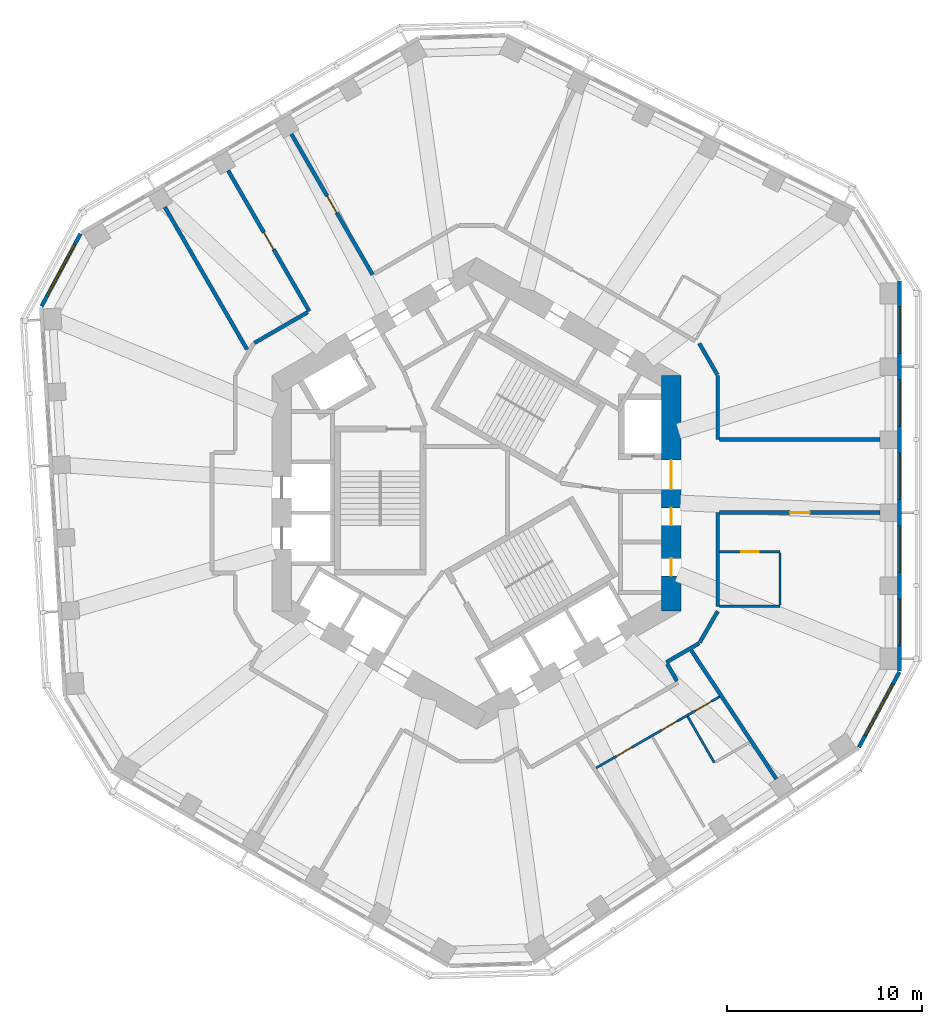
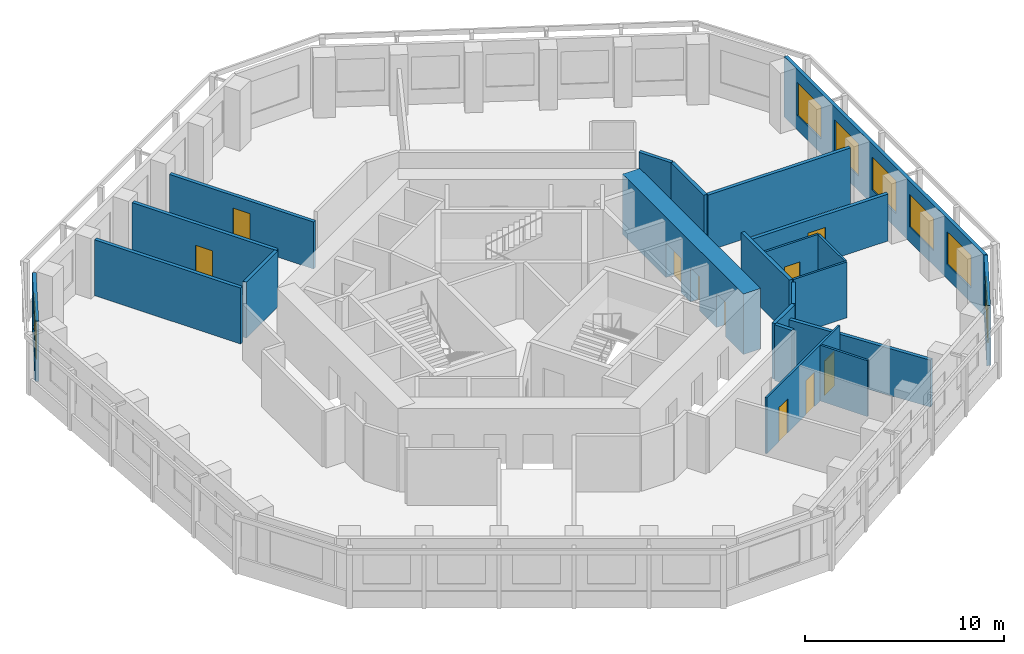
# One storey, part 6 of 10: 22 walls, 10 doors, 7 windows, 17 openings.
"""IFC4 building model written with IfcOpenShell, lengths in metres."""

from ifc_helpers import new_model, si_unit, direction, frame, frame_2d, origin, place, context, subcontext, project, spatial, rectangle, extrude, material, layer, layer_set, type_object, element, fill, save


model = new_model("IFC4")

# Units and contexts
model_context = context("Model", 3, precision=1e-05, world=origin(), true_north=direction((0.0, 1.0)))
body_context = subcontext(model_context, "Body", "Model", "MODEL_VIEW")
ifc_project = project(units=[si_unit("LENGTHUNIT", "METRE"), si_unit("AREAUNIT", "SQUARE_METRE"), si_unit("VOLUMEUNIT", "CUBIC_METRE"), si_unit("PLANEANGLEUNIT", "RADIAN"), si_unit("MASSUNIT", "GRAM", prefix="KILO")], contexts=[model_context])

# Site, building, storey
site_placement = place(None, origin())
site = spatial("IfcSite", under=ifc_project, at=site_placement, CompositionType="ELEMENT")
building_placement = place(site_placement, origin())
building = spatial("IfcBuilding", under=site, at=building_placement, Name="Vanh Sen Convention Tower", CompositionType="ELEMENT")
storey_placement = place(building_placement, frame((0.0, 0.0, 191.0)))
storey = spatial("IfcBuildingStorey", under=building, at=storey_placement, Name="L47", CompositionType="ELEMENT", Elevation=191.0)

# Wall, openings, doors
ifc_material_1 = material(Name="Moisture-resistant gypsum board on steel studs", Category="steel")
ifc_layer_1 = layer(ifc_material_1, 0.1201171875)
ifc_layer_set_1 = layer_set([ifc_layer_1], Name="Moisture-resistant gypsum board on steel studs")
wall_type_1 = type_object("IfcWallType", Name="Bathroom partition 120", PredefinedType="PARTITIONING", material=ifc_layer_set_1)
wall_1_placement = place(storey_placement, frame((6.151611328125, -14.116455078125, 0.0), z_axis=(0.0, 0.0, 1.0), x_axis=(0.866026788224, 0.499997602072, 0.0)))
wall_1 = element("IfcWall", 1, at=wall_1_placement, inside=storey, type_object=wall_type_1, Name="Bathroom partition 120", PredefinedType="PARTITIONING", context=body_context, shape_type="SweptSolid", body=[
    extrude(rectangle(XDim=7.322265625, YDim=0.1201171875, at=frame_2d((3.6611328125, 0.0))), origin(), (0.0, 0.0, 1.0), 3.419921875),
])
opening_1_placement = place(wall_1_placement, frame((5.85791015625, 0.0, 0.0)))
opening_1 = element("IfcOpeningElement", 2, at=opening_1_placement, cuts=wall_1, Name="Opening D47108", PredefinedType="OPENING", context=body_context, shape_type="SweptSolid", body=[
    extrude(rectangle(XDim=1.0, YDim=2.10009765625, at=frame_2d((0.5, 1.050048828125))), frame((0.0, 0.070068359375, 0.0), z_axis=(0.0, -1.0, 0.0), x_axis=(1.0, 0.0, 0.0)), (0.0, 0.0, 1.0), 0.14013671875),
])
opening_2_placement = place(wall_1_placement, frame((1.199951171875, 0.0, 0.0)))
opening_2 = element("IfcOpeningElement", 3, at=opening_2_placement, cuts=wall_1, Name="Opening D47109", PredefinedType="OPENING", context=body_context, shape_type="SweptSolid", body=[
    extrude(rectangle(XDim=0.89990234375, YDim=2.10009765625, at=frame_2d((0.449951171875, 1.050048828125))), frame((0.0, 0.070068359375, 0.0), z_axis=(0.0, -1.0, 0.0), x_axis=(1.0, 0.0, 0.0)), (0.0, 0.0, 1.0), 0.14013671875),
])
opening_3_placement = place(wall_1_placement, frame((3.896728515625, 0.0, 0.0)))
opening_3 = element("IfcOpeningElement", 4, at=opening_3_placement, cuts=wall_1, Name="Opening D47110", PredefinedType="OPENING", context=body_context, shape_type="SweptSolid", body=[
    extrude(rectangle(XDim=0.89990234375, YDim=2.10009765625, at=frame_2d((0.449951171875, 1.050048828125))), frame((0.0, 0.070068359375, 0.0), z_axis=(0.0, -1.0, 0.0), x_axis=(1.0, 0.0, 0.0)), (0.0, 0.0, 1.0), 0.14013671875),
])
ifc_material_2 = material(Name="Laminate door in steel frame", Category="steel")
door_type_1 = type_object("IfcDoorType", Name="Accessible WC door 1000", OperationType="SINGLE_SWING_LEFT", PredefinedType="DOOR", material=ifc_material_2)
door_1_placement = place(opening_1_placement, origin())
door_1 = element("IfcDoor", 5, at=door_1_placement, inside=storey, type_object=door_type_1, Name="Accessible WC door D47108", OperationType="SINGLE_SWING_LEFT", OverallHeight=2.10009765625, OverallWidth=1.0, PredefinedType="DOOR", context=body_context, shape_type="SweptSolid", body=[
    extrude(rectangle(XDim=1.0, YDim=2.10009765625, at=frame_2d((0.5, 1.050048828125))), frame((0.0, 0.02490234375, 0.0), z_axis=(0.0, -1.0, 0.0), x_axis=(1.0, 0.0, 0.0)), (0.0, 0.0, 1.0), 0.050048828125),
])
fill(opening_1, door_1)
door_type_2 = type_object("IfcDoorType", Name="Room internal door 900", OperationType="SINGLE_SWING_LEFT", PredefinedType="DOOR", material=ifc_material_2)
door_2_placement = place(opening_2_placement, origin())
door_2 = element("IfcDoor", 6, at=door_2_placement, inside=storey, type_object=door_type_2, Name="Internal room door D47109", OperationType="SINGLE_SWING_LEFT", OverallHeight=2.10009765625, OverallWidth=0.89990234375, PredefinedType="DOOR", context=body_context, shape_type="SweptSolid", body=[
    extrude(rectangle(XDim=0.89990234375, YDim=2.10009765625, at=frame_2d((0.449951171875, 1.050048828125))), frame((0.0, 0.02490234375, 0.0), z_axis=(0.0, -1.0, 0.0), x_axis=(1.0, 0.0, 0.0)), (0.0, 0.0, 1.0), 0.050048828125),
])
fill(opening_2, door_2)
door_3_placement = place(opening_3_placement, origin())
door_3 = element("IfcDoor", 7, at=door_3_placement, inside=storey, type_object=door_type_2, Name="Internal room door D47110", OperationType="SINGLE_SWING_LEFT", OverallHeight=2.10009765625, OverallWidth=0.89990234375, PredefinedType="DOOR", context=body_context, shape_type="SweptSolid", body=[
    extrude(rectangle(XDim=0.89990234375, YDim=2.10009765625, at=frame_2d((0.449951171875, 1.050048828125))), frame((0.0, 0.02490234375, 0.0), z_axis=(0.0, -1.0, 0.0), x_axis=(1.0, 0.0, 0.0)), (0.0, 0.0, 1.0), 0.050048828125),
])
fill(opening_3, door_3)

# Wall
wall_2_placement = place(storey_placement, frame((10.8525390625, -11.4716796875, 0.0), z_axis=(0.0, 0.0, 1.0), x_axis=(0.500048966069, -0.865997131366, 0.0)))
element("IfcWall", 8, at=wall_2_placement, inside=storey, type_object=wall_type_1, Name="Bathroom partition 120", PredefinedType="PARTITIONING", context=body_context, shape_type="SweptSolid", body=[
    extrude(rectangle(XDim=2.739990234375, YDim=0.1201171875, at=frame_2d((1.3701171875, 0.0))), origin(), (0.0, 0.0, 1.0), 3.419921875),
])

# Wall, opening, door
wall_3_placement = place(storey_placement, frame((12.5, -3.01220703125, 0.0), z_axis=(0.0, 0.0, 1.0), x_axis=(1.0, 0.0, 0.0)))
wall_3 = element("IfcWall", 9, at=wall_3_placement, inside=storey, type_object=wall_type_1, Name="Bathroom partition 120", PredefinedType="PARTITIONING", context=body_context, shape_type="SweptSolid", body=[
    extrude(rectangle(XDim=3.10009765625, YDim=0.1201171875, at=frame_2d((1.550048828125, 0.0))), origin(), (0.0, 0.0, 1.0), 3.419921875),
])
opening_4_placement = place(wall_3_placement, frame((1.10009765625, 0.0, 0.0)))
opening_4 = element("IfcOpeningElement", 10, at=opening_4_placement, cuts=wall_3, Name="Opening D47112", PredefinedType="OPENING", context=body_context, shape_type="SweptSolid", body=[
    extrude(rectangle(XDim=0.89990234375, YDim=2.10009765625, at=frame_2d((0.449951171875, 1.050048828125))), frame((0.0, 0.070068359375, 0.0), z_axis=(0.0, -1.0, 0.0), x_axis=(1.0, 0.0, 0.0)), (0.0, 0.0, 1.0), 0.14013671875),
])
door_4_placement = place(opening_4_placement, origin())
door_4 = element("IfcDoor", 11, at=door_4_placement, inside=storey, type_object=door_type_2, Name="Internal room door D47112", OperationType="SINGLE_SWING_LEFT", OverallHeight=2.10009765625, OverallWidth=0.89990234375, PredefinedType="DOOR", context=body_context, shape_type="SweptSolid", body=[
    extrude(rectangle(XDim=0.89990234375, YDim=2.10009765625, at=frame_2d((0.449951171875, 1.050048828125))), frame((0.0, 0.02490234375, 0.0), z_axis=(0.0, -1.0, 0.0), x_axis=(1.0, 0.0, 0.0)), (0.0, 0.0, 1.0), 0.050048828125),
])
fill(opening_4, door_4)

# Walls
wall_4_placement = place(storey_placement, frame((15.60009765625, -5.812255859375, 0.0), z_axis=(0.0, 0.0, 1.0), x_axis=(-1.0, 0.0, 0.0)))
element("IfcWall", 12, at=wall_4_placement, inside=storey, type_object=wall_type_1, Name="Bathroom partition 120", PredefinedType="PARTITIONING", context=body_context, shape_type="SweptSolid", body=[
    extrude(rectangle(XDim=3.10009765625, YDim=0.1201171875, at=frame_2d((1.550048828125, 0.0))), origin(), (0.0, 0.0, 1.0), 3.419921875),
])
wall_5_placement = place(storey_placement, frame((15.60009765625, -3.072265625, 0.0), z_axis=(0.0, 0.0, 1.0), x_axis=(0.0, -1.0, 0.0)))
element("IfcWall", 13, at=wall_5_placement, inside=storey, type_object=wall_type_1, Name="Bathroom partition 120", PredefinedType="PARTITIONING", context=body_context, shape_type="SweptSolid", body=[
    extrude(rectangle(XDim=2.679931640625, YDim=0.1201171875, at=frame_2d((1.33984375, 0.0))), origin(), (0.0, 0.0, 1.0), 3.419921875),
])

# Wall, openings, doors
ifc_material_3 = material(Name="Concrete C80/95", Category="concrete")
ifc_layer_2 = layer(ifc_material_3, 1.0)
ifc_layer_set_2 = layer_set([ifc_layer_2], Name="Concrete C80/95")
wall_type_2 = type_object("IfcWallType", Name="Core outer wall 1000 C80/95", PredefinedType="SHEAR", material=ifc_layer_set_2)
wall_6_placement = place(storey_placement, frame((10.0, -6.062255859375, 0.0), z_axis=(0.0, 0.0, 1.0), x_axis=(0.0, 1.0, 0.0)))
wall_6 = element("IfcWall", 14, at=wall_6_placement, inside=storey, type_object=wall_type_2, Name="Core wall face E L47", PredefinedType="SHEAR", context=body_context, shape_type="SweptSolid", body=[
    extrude(rectangle(XDim=12.12451171875, YDim=1.0, at=frame_2d((6.062255859375, 0.0))), origin(), (0.0, 0.0, 1.0), 3.699951171875),
])
opening_5_placement = place(wall_6_placement, frame((6.26220703125, 0.0, 0.0)))
opening_5 = element("IfcOpeningElement", 15, at=opening_5_placement, cuts=wall_6, Name="Opening D47001", PredefinedType="OPENING", context=body_context, shape_type="SweptSolid", body=[
    extrude(rectangle(XDim=1.5, YDim=2.10009765625, at=frame_2d((0.75, 1.050048828125))), frame((0.0, 0.510009765625, 0.0), z_axis=(0.0, -1.0, 0.0), x_axis=(1.0, 0.0, 0.0)), (0.0, 0.0, 1.0), 1.02001953125),
])
opening_6_placement = place(wall_6_placement, frame((1.812255859375, 0.0, 0.0)))
opening_6 = element("IfcOpeningElement", 16, at=opening_6_placement, cuts=wall_6, Name="Opening D47010", PredefinedType="OPENING", context=body_context, shape_type="SweptSolid", body=[
    extrude(rectangle(XDim=0.89990234375, YDim=2.10009765625, at=frame_2d((0.449951171875, 1.050048828125))), frame((0.0, 0.510009765625, 0.0), z_axis=(0.0, -1.0, 0.0), x_axis=(1.0, 0.0, 0.0)), (0.0, 0.0, 1.0), 1.02001953125),
])
opening_7_placement = place(wall_6_placement, frame((4.412109375, 0.0, 0.0)))
opening_7 = element("IfcOpeningElement", 17, at=opening_7_placement, cuts=wall_6, Name="Opening D47011", PredefinedType="OPENING", context=body_context, shape_type="SweptSolid", body=[
    extrude(rectangle(XDim=0.89990234375, YDim=2.10009765625, at=frame_2d((0.449951171875, 1.050048828125))), frame((0.0, 0.510009765625, 0.0), z_axis=(0.0, -1.0, 0.0), x_axis=(1.0, 0.0, 0.0)), (0.0, 0.0, 1.0), 1.02001953125),
])
ifc_material_4 = material(Name="Steel S355", Category="steel")
door_type_3 = type_object("IfcDoorType", Name="Plant door 900", OperationType="SINGLE_SWING_LEFT", PredefinedType="DOOR", material=ifc_material_4)
door_5_placement = place(opening_6_placement, origin())
door_5 = element("IfcDoor", 18, at=door_5_placement, inside=storey, type_object=door_type_3, Name="Plant door D47010", OperationType="SINGLE_SWING_LEFT", OverallHeight=2.10009765625, OverallWidth=0.89990234375, PredefinedType="DOOR", context=body_context, shape_type="SweptSolid", body=[
    extrude(rectangle(XDim=0.89990234375, YDim=2.10009765625, at=frame_2d((0.449951171875, 1.050048828125))), frame((0.0, 0.02490234375, 0.0), z_axis=(0.0, -1.0, 0.0), x_axis=(1.0, 0.0, 0.0)), (0.0, 0.0, 1.0), 0.050048828125),
])
fill(opening_6, door_5)
door_6_placement = place(opening_7_placement, origin())
door_6 = element("IfcDoor", 19, at=door_6_placement, inside=storey, type_object=door_type_3, Name="Plant door D47011", OperationType="SINGLE_SWING_LEFT", OverallHeight=2.10009765625, OverallWidth=0.89990234375, PredefinedType="DOOR", context=body_context, shape_type="SweptSolid", body=[
    extrude(rectangle(XDim=0.89990234375, YDim=2.10009765625, at=frame_2d((0.449951171875, 1.050048828125))), frame((0.0, 0.02490234375, 0.0), z_axis=(0.0, -1.0, 0.0), x_axis=(1.0, 0.0, 0.0)), (0.0, 0.0, 1.0), 0.050048828125),
])
fill(opening_7, door_6)
door_type_4 = type_object("IfcDoorType", Name="Stair lobby door 1500", OperationType="DOUBLE_DOOR_SINGLE_SWING", PredefinedType="DOOR", material=ifc_material_4)
door_7_placement = place(opening_5_placement, origin())
door_7 = element("IfcDoor", 20, at=door_7_placement, inside=storey, type_object=door_type_4, Name="Stair lobby door D47001", OperationType="DOUBLE_DOOR_SINGLE_SWING", OverallHeight=2.10009765625, OverallWidth=1.5, PredefinedType="DOOR", context=body_context, shape_type="SweptSolid", body=[
    extrude(rectangle(XDim=1.5, YDim=2.10009765625, at=frame_2d((0.75, 1.050048828125))), frame((0.0, 0.02490234375, 0.0), z_axis=(0.0, -1.0, 0.0), x_axis=(1.0, 0.0, 0.0)), (0.0, 0.0, 1.0), 0.050048828125),
])
fill(opening_5, door_7)

# Wall, opening, door
ifc_material_5 = material(Name="Gypsum board on steel studs with mineral wool", Category="steel")
ifc_layer_3 = layer(ifc_material_5, 0.199951171875)
ifc_layer_set_3 = layer_set([ifc_layer_3], Name="Gypsum board on steel studs with mineral wool")
wall_type_3 = type_object("IfcWallType", Name="Corridor partition wall 200", PredefinedType="PARTITIONING", material=ifc_layer_set_3)
wall_7_placement = place(storey_placement, frame((-12.766357421875, 16.58935546875, 0.0), z_axis=(0.0, 0.0, 1.0), x_axis=(0.500010139422, -0.866019549707, 0.0)))
wall_7 = element("IfcWall", 21, at=wall_7_placement, inside=storey, type_object=wall_type_3, Name="Corridor partition wall 200", PredefinedType="PARTITIONING", context=body_context, shape_type="SweptSolid", body=[
    extrude(rectangle(XDim=8.349853515625, YDim=0.199951171875, at=frame_2d((4.1748046875, 0.0))), origin(), (0.0, 0.0, 1.0), 3.419921875),
])
opening_8_placement = place(wall_7_placement, frame((3.675048828125, 0.0, 0.0)))
opening_8 = element("IfcOpeningElement", 22, at=opening_8_placement, cuts=wall_7, Name="Opening D47104", PredefinedType="OPENING", context=body_context, shape_type="SweptSolid", body=[
    extrude(rectangle(XDim=1.0, YDim=2.10009765625, at=frame_2d((0.5, 1.050048828125))), frame((0.0, 0.10986328125, 0.0), z_axis=(0.0, -1.0, 0.0), x_axis=(1.0, 0.0, 0.0)), (0.0, 0.0, 1.0), 0.219970703125),
])
ifc_material_6 = material(Name="Glazed fire door in steel frame", Category="steel")
door_type_5 = type_object("IfcDoorType", Name="Tenant entrance door 1000", OperationType="SINGLE_SWING_LEFT", PredefinedType="DOOR", material=ifc_material_6)
door_8_placement = place(opening_8_placement, origin())
door_8 = element("IfcDoor", 23, at=door_8_placement, inside=storey, type_object=door_type_5, Name="Tenant suite entrance door D47104", OperationType="SINGLE_SWING_LEFT", OverallHeight=2.10009765625, OverallWidth=1.0, PredefinedType="DOOR", context=body_context, shape_type="SweptSolid", body=[
    extrude(rectangle(XDim=1.0, YDim=2.10009765625, at=frame_2d((0.5, 1.050048828125))), frame((0.0, 0.02490234375, 0.0), z_axis=(0.0, -1.0, 0.0), x_axis=(1.0, 0.0, 0.0)), (0.0, 0.0, 1.0), 0.050048828125),
])
fill(opening_8, door_8)

wall_8_placement = place(storey_placement, frame((-9.51513671875, 18.46630859375, 0.0), z_axis=(0.0, 0.0, 1.0), x_axis=(0.500010139422, -0.866019549707, 0.0)))
wall_8 = element("IfcWall", 24, at=wall_8_placement, inside=storey, type_object=wall_type_3, Name="Corridor partition wall 200", PredefinedType="PARTITIONING", context=body_context, shape_type="SweptSolid", body=[
    extrude(rectangle(XDim=8.349853515625, YDim=0.199951171875, at=frame_2d((4.1748046875, 0.0))), origin(), (0.0, 0.0, 1.0), 2.8701171875),
])
opening_9_placement = place(wall_8_placement, frame((3.675048828125, 0.0, 0.0)))
opening_9 = element("IfcOpeningElement", 25, at=opening_9_placement, cuts=wall_8, Name="Opening D47103", PredefinedType="OPENING", context=body_context, shape_type="SweptSolid", body=[
    extrude(rectangle(XDim=1.0, YDim=2.10009765625, at=frame_2d((0.5, 1.050048828125))), frame((0.0, 0.10986328125, 0.0), z_axis=(0.0, -1.0, 0.0), x_axis=(1.0, 0.0, 0.0)), (0.0, 0.0, 1.0), 0.219970703125),
])
ifc_material_7 = material(Name="Timber fire door in steel frame", Category="steel")
door_type_6 = type_object("IfcDoorType", Name="Floor room door 1000", OperationType="SINGLE_SWING_LEFT", PredefinedType="DOOR", material=ifc_material_7)
door_9_placement = place(opening_9_placement, origin())
door_9 = element("IfcDoor", 26, at=door_9_placement, inside=storey, type_object=door_type_6, Name="Meeting and amenity room door D47103", OperationType="SINGLE_SWING_LEFT", OverallHeight=2.10009765625, OverallWidth=1.0, PredefinedType="DOOR", context=body_context, shape_type="SweptSolid", body=[
    extrude(rectangle(XDim=1.0, YDim=2.10009765625, at=frame_2d((0.5, 1.050048828125))), frame((0.0, 0.02490234375, 0.0), z_axis=(0.0, -1.0, 0.0), x_axis=(1.0, 0.0, 0.0)), (0.0, 0.0, 1.0), 0.050048828125),
])
fill(opening_9, door_9)

# Walls
wall_9_placement = place(storey_placement, frame((-8.677978515625, 9.30810546875, 0.0), z_axis=(0.0, 0.0, 1.0), x_axis=(-0.866000359435, -0.500043375578, 0.0)))
element("IfcWall", 27, at=wall_9_placement, inside=storey, type_object=wall_type_3, Name="Corridor partition wall 200", PredefinedType="PARTITIONING", context=body_context, shape_type="SweptSolid", body=[
    extrude(rectangle(XDim=3.160888671875, YDim=0.199951171875, at=frame_2d((1.58056640625, 0.0))), origin(), (0.0, 0.0, 1.0), 3.419921875),
])
wall_10_placement = place(storey_placement, frame((9.751708984375, -8.688232421875, 0.0), z_axis=(0.0, 0.0, 1.0), x_axis=(0.865974105138, 0.500088841337, 0.0)))
element("IfcWall", 28, at=wall_10_placement, inside=storey, type_object=wall_type_3, Name="Corridor partition wall 200", PredefinedType="PARTITIONING", context=body_context, shape_type="SweptSolid", body=[
    extrude(rectangle(XDim=1.961181640625, YDim=0.199951171875, at=frame_2d((0.98046875, 0.0))), origin(), (0.0, 0.0, 1.0), 3.419921875),
])
wall_11_placement = place(storey_placement, frame((10.302001953125, -9.6416015625, 0.0), z_axis=(0.0, 0.0, 1.0), x_axis=(-0.500074377092, 0.865982457891, 0.0)))
element("IfcWall", 29, at=wall_11_placement, inside=storey, type_object=wall_type_3, Name="Corridor partition wall 200", PredefinedType="PARTITIONING", context=body_context, shape_type="SweptSolid", body=[
    extrude(rectangle(XDim=1.000732421875, YDim=0.199951171875, at=frame_2d((0.50048828125, 0.0))), origin(), (0.0, 0.0, 1.0), 3.419921875),
])
for number, where, z_axis, x_axis, name in (
    (30, (11.469970703125, -7.673095703125, 0.0), (0.0, 0.0, 1.0), (0.499964847546, 0.866045698112, 0.0), "Corridor partition wall 200"),
    (31, (12.3798828125, 6.0966796875, 0.0), (0.0, 0.0, 1.0), (-0.499964847546, 0.866045698112, 0.0), "Corridor partition wall 200"),
):
    element("IfcWall", number, at=place(storey_placement, frame(where, z_axis=z_axis, x_axis=x_axis)), inside=storey, type_object=wall_type_3, Name=name, PredefinedType="PARTITIONING", context=body_context, shape_type="SweptSolid", body=[
        extrude(rectangle(XDim=1.860107421875, YDim=0.199951171875, at=frame_2d((0.93017578125, 0.0))), origin(), (0.0, 0.0, 1.0), 3.419921875),
    ])
wall_12_placement = place(storey_placement, frame((12.39990234375, -5.812255859375, 0.0), z_axis=(0.0, 0.0, 1.0), x_axis=(0.0, 1.0, 0.0)))
element("IfcWall", 32, at=wall_12_placement, inside=storey, type_object=wall_type_3, Name="Corridor partition wall 200", PredefinedType="PARTITIONING", context=body_context, shape_type="SweptSolid", body=[
    extrude(rectangle(XDim=4.8193359375, YDim=0.199951171875, at=frame_2d((2.40966796875, 0.0))), origin(), (0.0, 0.0, 1.0), 3.419921875),
])
wall_13_placement = place(storey_placement, frame((12.39990234375, 2.76123046875, 0.0), z_axis=(0.0, 0.0, 1.0), x_axis=(0.0, 1.0, 0.0)))
element("IfcWall", 33, at=wall_13_placement, inside=storey, type_object=wall_type_3, Name="Corridor partition wall 200", PredefinedType="PARTITIONING", context=body_context, shape_type="SweptSolid", body=[
    extrude(rectangle(XDim=3.301025390625, YDim=0.199951171875, at=frame_2d((1.650390625, 0.0))), origin(), (0.0, 0.0, 1.0), 3.419921875),
])

# Wall, opening, door
wall_14_placement = place(storey_placement, frame((12.5, -0.992919921875, 0.0), z_axis=(0.0, 0.0, 1.0), x_axis=(1.0, 0.0, 0.0)))
wall_14 = element("IfcWall", 34, at=wall_14_placement, inside=storey, type_object=wall_type_3, Name="Corridor partition wall 200", PredefinedType="PARTITIONING", context=body_context, shape_type="SweptSolid", body=[
    extrude(rectangle(XDim=8.25, YDim=0.199951171875, at=frame_2d((4.125, 0.0))), origin(), (0.0, 0.0, 1.0), 2.8701171875),
])
opening_10_placement = place(wall_14_placement, frame((3.625, 0.0, 0.0)))
opening_10 = element("IfcOpeningElement", 35, at=opening_10_placement, cuts=wall_14, Name="Opening D47111", PredefinedType="OPENING", context=body_context, shape_type="SweptSolid", body=[
    extrude(rectangle(XDim=1.0, YDim=2.10009765625, at=frame_2d((0.5, 1.050048828125))), frame((0.0, 0.10986328125, 0.0), z_axis=(0.0, -1.0, 0.0), x_axis=(1.0, 0.0, 0.0)), (0.0, 0.0, 1.0), 0.219970703125),
])
door_10_placement = place(opening_10_placement, origin())
door_10 = element("IfcDoor", 36, at=door_10_placement, inside=storey, type_object=door_type_5, Name="Tenant suite entrance door D47111", OperationType="SINGLE_SWING_LEFT", OverallHeight=2.10009765625, OverallWidth=1.0, PredefinedType="DOOR", context=body_context, shape_type="SweptSolid", body=[
    extrude(rectangle(XDim=1.0, YDim=2.10009765625, at=frame_2d((0.5, 1.050048828125))), frame((0.0, 0.02490234375, 0.0), z_axis=(0.0, -1.0, 0.0), x_axis=(1.0, 0.0, 0.0)), (0.0, 0.0, 1.0), 0.050048828125),
])
fill(opening_10, door_10)

# Wall
wall_15_placement = place(storey_placement, frame((20.75, 2.76123046875, 0.0), z_axis=(0.0, 0.0, 1.0), x_axis=(-1.0, 0.0, 0.0)))
element("IfcWall", 37, at=wall_15_placement, inside=storey, type_object=wall_type_3, Name="Corridor partition wall 200", PredefinedType="PARTITIONING", context=body_context, shape_type="SweptSolid", body=[
    extrude(rectangle(XDim=8.25, YDim=0.199951171875, at=frame_2d((4.125, 0.0))), origin(), (0.0, 0.0, 1.0), 3.419921875),
])

# Wall, openings, windows
ifc_material_8 = material(Name="Insulated lightweight infill wall")
ifc_layer_4 = layer(ifc_material_8, 0.199951171875)
ifc_layer_set_4 = layer_set([ifc_layer_4], Name="Insulated lightweight infill wall")
wall_type_4 = type_object("IfcWallType", Name="External wall 200", PredefinedType="STANDARD", material=ifc_layer_set_4)
wall_16_placement = place(storey_placement, frame((21.75, -9.138427734375, 0.0), z_axis=(0.0, 0.0, 1.0), x_axis=(0.0, 1.0, 0.0)))
wall_16 = element("IfcWall", 38, at=wall_16_placement, inside=storey, type_object=wall_type_4, Name="External wall E L47", PredefinedType="STANDARD", context=body_context, shape_type="SweptSolid", body=[
    extrude(rectangle(XDim=20.043701171875, YDim=0.199951171875, at=frame_2d((10.02197265625, 0.0))), origin(), (0.0, 0.0, 1.0), 3.699951171875),
])
opening_11_placement = place(wall_16_placement, frame((1.314453125, 0.0, 0.89990234375)))
opening_11 = element("IfcOpeningElement", 39, at=opening_11_placement, cuts=wall_16, Name="Opening WO1-E1", PredefinedType="OPENING", context=body_context, shape_type="SweptSolid", body=[
    extrude(rectangle(XDim=2.39990234375, YDim=2.0, at=frame_2d((1.199951171875, 1.0))), frame((0.0, 0.10986328125, 0.0), z_axis=(0.0, -1.0, 0.0), x_axis=(1.0, 0.0, 0.0)), (0.0, 0.0, 1.0), 0.219970703125),
])
opening_12_placement = place(wall_16_placement, frame((5.068603515625, 0.0, 0.89990234375)))
opening_12 = element("IfcOpeningElement", 40, at=opening_12_placement, cuts=wall_16, Name="Opening WO1-E2", PredefinedType="OPENING", context=body_context, shape_type="SweptSolid", body=[
    extrude(rectangle(XDim=2.39990234375, YDim=2.0, at=frame_2d((1.199951171875, 1.0))), frame((0.0, 0.10986328125, 0.0), z_axis=(0.0, -1.0, 0.0), x_axis=(1.0, 0.0, 0.0)), (0.0, 0.0, 1.0), 0.219970703125),
])
opening_13_placement = place(wall_16_placement, frame((8.82275390625, 0.0, 0.89990234375)))
opening_13 = element("IfcOpeningElement", 41, at=opening_13_placement, cuts=wall_16, Name="Opening WO1-E3", PredefinedType="OPENING", context=body_context, shape_type="SweptSolid", body=[
    extrude(rectangle(XDim=2.39990234375, YDim=2.0, at=frame_2d((1.199951171875, 1.0))), frame((0.0, 0.10986328125, 0.0), z_axis=(0.0, -1.0, 0.0), x_axis=(1.0, 0.0, 0.0)), (0.0, 0.0, 1.0), 0.219970703125),
])
opening_14_placement = place(wall_16_placement, frame((12.576904296875, 0.0, 0.89990234375)))
opening_14 = element("IfcOpeningElement", 42, at=opening_14_placement, cuts=wall_16, Name="Opening WO1-E4", PredefinedType="OPENING", context=body_context, shape_type="SweptSolid", body=[
    extrude(rectangle(XDim=2.39990234375, YDim=2.0, at=frame_2d((1.199951171875, 1.0))), frame((0.0, 0.10986328125, 0.0), z_axis=(0.0, -1.0, 0.0), x_axis=(1.0, 0.0, 0.0)), (0.0, 0.0, 1.0), 0.219970703125),
])
opening_15_placement = place(wall_16_placement, frame((16.330810546875, 0.0, 0.89990234375)))
opening_15 = element("IfcOpeningElement", 43, at=opening_15_placement, cuts=wall_16, Name="Opening WO1-E5", PredefinedType="OPENING", context=body_context, shape_type="SweptSolid", body=[
    extrude(rectangle(XDim=2.39990234375, YDim=2.0, at=frame_2d((1.199951171875, 1.0))), frame((0.0, 0.10986328125, 0.0), z_axis=(0.0, -1.0, 0.0), x_axis=(1.0, 0.0, 0.0)), (0.0, 0.0, 1.0), 0.219970703125),
])
ifc_material_9 = material(Name="Aluminium frame with clear low-emissivity glass", Category="aluminium")
window_type_1 = type_object("IfcWindowType", Name="Office window 2400 x 2000", PartitioningType="SINGLE_PANEL", PredefinedType="WINDOW", material=ifc_material_9)
window_1_placement = place(opening_11_placement, origin())
window_1 = element("IfcWindow", 44, at=window_1_placement, inside=storey, type_object=window_type_1, Name="Window WO1-E1", OverallHeight=2.0, OverallWidth=2.39990234375, PartitioningType="SINGLE_PANEL", PredefinedType="WINDOW", context=body_context, shape_type="SweptSolid", body=[
    extrude(rectangle(XDim=2.39990234375, YDim=2.0, at=frame_2d((1.199951171875, 1.0))), frame((0.0, 0.030029296875, 0.0), z_axis=(0.0, -1.0, 0.0), x_axis=(1.0, 0.0, 0.0)), (0.0, 0.0, 1.0), 0.06005859375),
])
fill(opening_11, window_1)
window_2_placement = place(opening_12_placement, origin())
window_2 = element("IfcWindow", 45, at=window_2_placement, inside=storey, type_object=window_type_1, Name="Window WO1-E2", OverallHeight=2.0, OverallWidth=2.39990234375, PartitioningType="SINGLE_PANEL", PredefinedType="WINDOW", context=body_context, shape_type="SweptSolid", body=[
    extrude(rectangle(XDim=2.39990234375, YDim=2.0, at=frame_2d((1.199951171875, 1.0))), frame((0.0, 0.030029296875, 0.0), z_axis=(0.0, -1.0, 0.0), x_axis=(1.0, 0.0, 0.0)), (0.0, 0.0, 1.0), 0.06005859375),
])
fill(opening_12, window_2)
window_3_placement = place(opening_13_placement, origin())
window_3 = element("IfcWindow", 46, at=window_3_placement, inside=storey, type_object=window_type_1, Name="Window WO1-E3", OverallHeight=2.0, OverallWidth=2.39990234375, PartitioningType="SINGLE_PANEL", PredefinedType="WINDOW", context=body_context, shape_type="SweptSolid", body=[
    extrude(rectangle(XDim=2.39990234375, YDim=2.0, at=frame_2d((1.199951171875, 1.0))), frame((0.0, 0.030029296875, 0.0), z_axis=(0.0, -1.0, 0.0), x_axis=(1.0, 0.0, 0.0)), (0.0, 0.0, 1.0), 0.06005859375),
])
fill(opening_13, window_3)
window_4_placement = place(opening_14_placement, origin())
window_4 = element("IfcWindow", 47, at=window_4_placement, inside=storey, type_object=window_type_1, Name="Window WO1-E4", OverallHeight=2.0, OverallWidth=2.39990234375, PartitioningType="SINGLE_PANEL", PredefinedType="WINDOW", context=body_context, shape_type="SweptSolid", body=[
    extrude(rectangle(XDim=2.39990234375, YDim=2.0, at=frame_2d((1.199951171875, 1.0))), frame((0.0, 0.030029296875, 0.0), z_axis=(0.0, -1.0, 0.0), x_axis=(1.0, 0.0, 0.0)), (0.0, 0.0, 1.0), 0.06005859375),
])
fill(opening_14, window_4)
window_5_placement = place(opening_15_placement, origin())
window_5 = element("IfcWindow", 48, at=window_5_placement, inside=storey, type_object=window_type_1, Name="Window WO1-E5", OverallHeight=2.0, OverallWidth=2.39990234375, PartitioningType="SINGLE_PANEL", PredefinedType="WINDOW", context=body_context, shape_type="SweptSolid", body=[
    extrude(rectangle(XDim=2.39990234375, YDim=2.0, at=frame_2d((1.199951171875, 1.0))), frame((0.0, 0.030029296875, 0.0), z_axis=(0.0, -1.0, 0.0), x_axis=(1.0, 0.0, 0.0)), (0.0, 0.0, 1.0), 0.06005859375),
])
fill(opening_15, window_5)

# Wall, opening, window
wall_17_placement = place(storey_placement, frame((-20.357421875, 13.343994140625, 0.0), z_axis=(0.0, 0.0, 1.0), x_axis=(-0.473288913494, -0.880907262068, 0.0)))
wall_17 = element("IfcWall", 49, at=wall_17_placement, inside=storey, type_object=wall_type_4, Name="External wall CH3 L47", PredefinedType="STANDARD", context=body_context, shape_type="SweptSolid", body=[
    extrude(rectangle(XDim=4.238037109375, YDim=0.199951171875, at=frame_2d((2.119140625, 0.0))), origin(), (0.0, 0.0, 1.0), 3.699951171875),
])
opening_16_placement = place(wall_17_placement, frame((0.619140625, 0.0, 0.89990234375)))
opening_16 = element("IfcOpeningElement", 50, at=opening_16_placement, cuts=wall_17, Name="Opening WO2-CH31", PredefinedType="OPENING", context=body_context, shape_type="SweptSolid", body=[
    extrude(rectangle(XDim=3.0, YDim=2.0, at=frame_2d((1.5, 1.0))), frame((0.0, 0.10986328125, 0.0), z_axis=(0.0, -1.0, 0.0), x_axis=(1.0, 0.0, 0.0)), (0.0, 0.0, 1.0), 0.219970703125),
])
window_type_2 = type_object("IfcWindowType", Name="Office window 3000 x 2000", PartitioningType="SINGLE_PANEL", PredefinedType="WINDOW", material=ifc_material_9)
window_6_placement = place(opening_16_placement, origin())
window_6 = element("IfcWindow", 51, at=window_6_placement, inside=storey, type_object=window_type_2, Name="Window WO2-CH31", OverallHeight=2.0, OverallWidth=3.0, PartitioningType="SINGLE_PANEL", PredefinedType="WINDOW", context=body_context, shape_type="SweptSolid", body=[
    extrude(rectangle(XDim=3.0, YDim=2.0, at=frame_2d((1.5, 1.0))), frame((0.0, 0.030029296875, 0.0), z_axis=(0.0, -1.0, 0.0), x_axis=(1.0, 0.0, 0.0)), (0.0, 0.0, 1.0), 0.06005859375),
])
fill(opening_16, window_6)

wall_18_placement = place(storey_placement, frame((19.657958984375, -13.05712890625, 0.0), z_axis=(0.0, 0.0, 1.0), x_axis=(0.473307879841, 0.880897071672, 0.0)))
wall_18 = element("IfcWall", 52, at=wall_18_placement, inside=storey, type_object=wall_type_4, Name="External wall CH6 L47", PredefinedType="STANDARD", context=body_context, shape_type="SweptSolid", body=[
    extrude(rectangle(XDim=4.394775390625, YDim=0.199951171875, at=frame_2d((2.197265625, 0.0))), origin(), (0.0, 0.0, 1.0), 3.699951171875),
])
opening_17_placement = place(wall_18_placement, frame((0.697509765625, 0.0, 0.89990234375)))
opening_17 = element("IfcOpeningElement", 53, at=opening_17_placement, cuts=wall_18, Name="Opening WO2-CH61", PredefinedType="OPENING", context=body_context, shape_type="SweptSolid", body=[
    extrude(rectangle(XDim=3.0, YDim=2.0, at=frame_2d((1.5, 1.0))), frame((0.0, 0.10986328125, 0.0), z_axis=(0.0, -1.0, 0.0), x_axis=(1.0, 0.0, 0.0)), (0.0, 0.0, 1.0), 0.219970703125),
])
window_7_placement = place(opening_17_placement, origin())
window_7 = element("IfcWindow", 54, at=window_7_placement, inside=storey, type_object=window_type_2, Name="Window WO2-CH61", OverallHeight=2.0, OverallWidth=3.0, PartitioningType="SINGLE_PANEL", PredefinedType="WINDOW", context=body_context, shape_type="SweptSolid", body=[
    extrude(rectangle(XDim=3.0, YDim=2.0, at=frame_2d((1.5, 1.0))), frame((0.0, 0.030029296875, 0.0), z_axis=(0.0, -1.0, 0.0), x_axis=(1.0, 0.0, 0.0)), (0.0, 0.0, 1.0), 0.06005859375),
])
fill(opening_17, window_7)

# Walls
ifc_layer_5 = layer(ifc_material_5, 0.199951171875)
ifc_layer_set_5 = layer_set([ifc_layer_5], Name="Gypsum board on steel studs with mineral wool")
wall_type_5 = type_object("IfcWallType", Name="Tenant suite wall 200", PredefinedType="PARTITIONING", material=ifc_layer_set_5)
wall_19_placement = place(storey_placement, frame((-16.017578125, 14.71240234375, 0.0), z_axis=(0.0, 0.0, 1.0), x_axis=(0.500000843414, -0.866024916838, 0.0)))
element("IfcWall", 55, at=wall_19_placement, inside=storey, type_object=wall_type_5, Name="Tenant suite wall 200", PredefinedType="PARTITIONING", context=body_context, shape_type="SweptSolid", body=[
    extrude(rectangle(XDim=8.45166015625, YDim=0.199951171875, at=frame_2d((4.225830078125, 0.0))), origin(), (0.0, 0.0, 1.0), 3.419921875),
])
wall_20_placement = place(storey_placement, frame((15.410888671875, -14.68310546875, 0.0), z_axis=(0.0, 0.0, 1.0), x_axis=(-0.551932106251, 0.833889051427, 0.0)))
element("IfcWall", 56, at=wall_20_placement, inside=storey, type_object=wall_type_5, Name="Tenant suite wall 200", PredefinedType="PARTITIONING", context=body_context, shape_type="SweptSolid", body=[
    extrude(rectangle(XDim=7.92626953125, YDim=0.199951171875, at=frame_2d((3.963134765625, 0.0))), origin(), (0.0, 0.0, 1.0), 2.8701171875),
])

save(model, "model.ifc")
